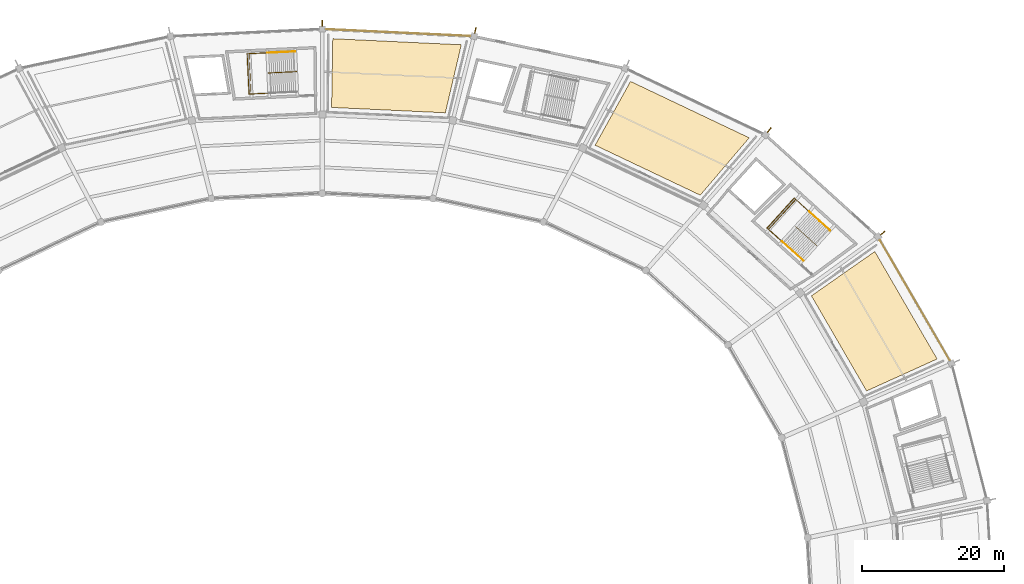
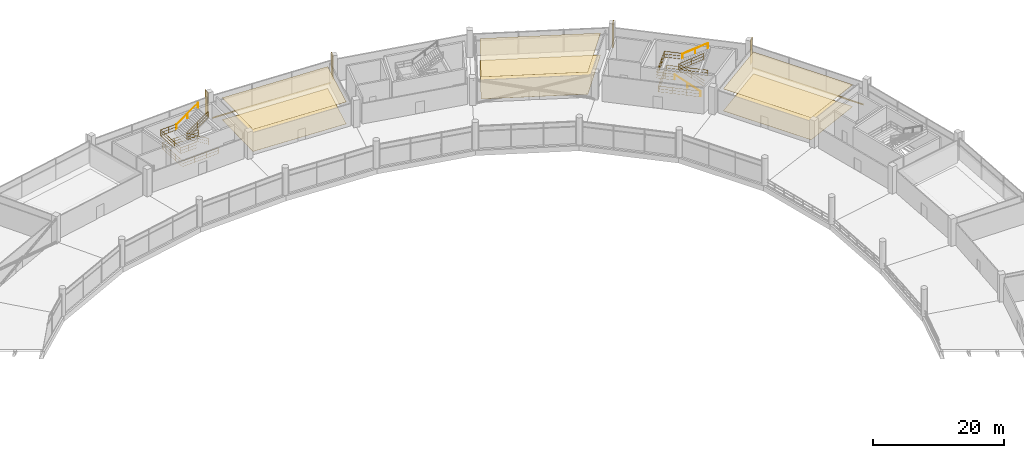
# One storey, part 183 of 184: 9 railings, 8 coverings, 4 shading devices.
"""IFC4 building model written with IfcOpenShell, lengths in metres."""

from ifc_helpers import new_model, si_unit, direction, frame, origin, origin_2d, place, context, subcontext, project, spatial, polyline, rectangle, outline, extrude, material, layer, layer_set, type_object, element, save


model = new_model("IFC4")

# Units and contexts
model_context = context("Model", 3, precision=1e-05, world=origin(), true_north=direction((0.0, 1.0)))
body_context = subcontext(model_context, "Body", "Model", "MODEL_VIEW")
ifc_project = project(units=[si_unit("LENGTHUNIT", "METRE"), si_unit("AREAUNIT", "SQUARE_METRE"), si_unit("VOLUMEUNIT", "CUBIC_METRE"), si_unit("PLANEANGLEUNIT", "RADIAN"), si_unit("MASSUNIT", "GRAM", prefix="KILO")], contexts=[model_context])

# Site, building, storey
site_placement = place(None, origin())
site = spatial("IfcSite", under=ifc_project, at=site_placement, CompositionType="ELEMENT")
building_placement = place(site_placement, origin())
building = spatial("IfcBuilding", under=site, at=building_placement, Name="Kazemori Nagisa Stadium", CompositionType="ELEMENT")
storey_placement = place(building_placement, frame((0.0, 0.0, 10.5400390625)))
storey = spatial("IfcBuildingStorey", under=building, at=storey_placement, Name="L02", CompositionType="ELEMENT", Elevation=10.5400390625)

# Coverings
ifc_material_1 = material(Name="Mineral-fibre acoustic board", Category="gypsum")
ifc_layer_1 = layer(ifc_material_1, 0.02001953125, Name="Mineral-fibre acoustic board", Category="gypsum")
ifc_layer_set_1 = layer_set([ifc_layer_1], Name="Mineral-fibre acoustic board")
covering_type_1 = type_object("IfcCoveringType", Name="Cov_CEIL", PredefinedType="CEILING", material=ifc_layer_set_1)
covering_1_placement = place(storey_placement, frame((0.0, 0.0, 4.10986328125)))
element("IfcCovering", 1, at=covering_1_placement, inside=storey, type_object=covering_type_1, Name="Acoustic ceiling L02-B03", PredefinedType="CEILING", context=body_context, shape_type="SweptSolid", body=[
    extrude(outline(polyline([(199.87353515625, 136.88330078125), (192.08203125, 150.320556640625), (201.034423828125, 156.582275390625), (209.835205078125, 141.40380859375), (199.87353515625, 136.88330078125)])), origin(), (0.0, 0.0, 1.0), 0.02001953125),
])
covering_2_placement = place(storey_placement, frame((0.0, 0.0, 4.10986328125)))
element("IfcCovering", 2, at=covering_2_placement, inside=storey, type_object=covering_type_1, Name="Acoustic ceiling L02-B05", PredefinedType="CEILING", context=body_context, shape_type="SweptSolid", body=[
    extrude(outline(polyline([(176.377197265625, 164.53759765625), (161.533935546875, 171.5908203125), (166.52734375, 180.60888671875), (183.294189453125, 172.6416015625), (176.377197265625, 164.53759765625)])), origin(), (0.0, 0.0, 1.0), 0.02001953125),
])
covering_3_placement = place(storey_placement, frame((0.0, 0.0, 4.10986328125)))
element("IfcCovering", 3, at=covering_3_placement, inside=storey, type_object=covering_type_1, Name="Acoustic ceiling L02-B07", PredefinedType="CEILING", context=body_context, shape_type="SweptSolid", body=[
    extrude(outline(polyline([(140.376953125, 176.17041015625), (124.307861328125, 176.93017578125), (124.4775390625, 186.64013671875), (142.62890625, 185.781982421875), (140.376953125, 176.17041015625)])), origin(), (0.0, 0.0, 1.0), 0.02001953125),
])
ifc_material_2 = material(Name="Porcelain stoneware tile", Category="masonry")
ifc_layer_2 = layer(ifc_material_2, 0.02490234375, Name="Porcelain stoneware tile", Category="masonry")
ifc_layer_set_2 = layer_set([ifc_layer_2], Name="Porcelain stoneware tile")
covering_type_2 = type_object("IfcCoveringType", Name="Cov_FLOOR", PredefinedType="FLOORING", material=ifc_layer_set_2)
covering_4_placement = place(storey_placement, origin())
element("IfcCovering", 4, at=covering_4_placement, inside=storey, type_object=covering_type_2, Name="Porcelain floor finish L02-B03", PredefinedType="FLOORING", context=body_context, shape_type="SweptSolid", body=[
    extrude(outline(polyline([(199.87353515625, 136.88330078125), (192.08203125, 150.320556640625), (201.034423828125, 156.582275390625), (209.835205078125, 141.40380859375), (199.87353515625, 136.88330078125)])), origin(), (0.0, 0.0, 1.0), 0.02490234375),
])
covering_5_placement = place(storey_placement, origin())
element("IfcCovering", 5, at=covering_5_placement, inside=storey, type_object=covering_type_2, Name="Porcelain floor finish L02-B05", PredefinedType="FLOORING", context=body_context, shape_type="SweptSolid", body=[
    extrude(outline(polyline([(176.377197265625, 164.53759765625), (161.533935546875, 171.5908203125), (166.52734375, 180.60888671875), (183.294189453125, 172.6416015625), (176.377197265625, 164.53759765625)])), origin(), (0.0, 0.0, 1.0), 0.02490234375),
])
covering_6_placement = place(storey_placement, origin())
element("IfcCovering", 6, at=covering_6_placement, inside=storey, type_object=covering_type_2, Name="Porcelain floor finish L02-B07", PredefinedType="FLOORING", context=body_context, shape_type="SweptSolid", body=[
    extrude(outline(polyline([(140.376953125, 176.17041015625), (124.307861328125, 176.93017578125), (124.4775390625, 186.64013671875), (142.62890625, 185.781982421875), (140.376953125, 176.17041015625)])), origin(), (0.0, 0.0, 1.0), 0.02490234375),
])
ifc_material_3 = material(Name="Anodised aluminium 6063-T5", Category="aluminium")
ifc_layer_3 = layer(ifc_material_3, 0.034912109375, Name="Anodised aluminium 6063-T5", Category="aluminium")
ifc_layer_set_3 = layer_set([ifc_layer_3], Name="Anodised aluminium 6063-T5")
covering_type_3 = type_object("IfcCoveringType", Name="Covering_CLAD", PredefinedType="CLADDING", material=ifc_layer_set_3)
covering_7_placement = place(storey_placement, frame((206.690185546875, 149.70849609375, -0.26025390625), z_axis=(0.0, 0.0, 1.0), x_axis=(-0.501611590054, 0.865092950337, 0.0)))
element("IfcCovering", 7, at=covering_7_placement, inside=storey, type_object=covering_type_3, Name="Anodised fascia cladding L02-B03", PredefinedType="CLADDING", context=body_context, shape_type="SweptSolid", body=[
    extrude(rectangle(XDim=19.6123046875, YDim=0.0400390625, at=origin_2d()), origin(), (0.0, 0.0, 1.0), 0.260009765625),
])
covering_8_placement = place(storey_placement, frame((133.7138671875, 187.493408203125, -0.26025390625), z_axis=(0.0, 0.0, 1.0), x_axis=(-0.998884022476, 0.047230388971, 0.0)))
element("IfcCovering", 8, at=covering_8_placement, inside=storey, type_object=covering_type_3, Name="Anodised fascia cladding L02-B07", PredefinedType="CLADDING", context=body_context, shape_type="SweptSolid", body=[
    extrude(rectangle(XDim=20.3515625, YDim=0.0400390625, at=origin_2d()), origin(), (0.0, 0.0, 1.0), 0.260009765625),
])

# Shading devices
ifc_material_4 = material(Name="Aluminium 6063-T5 anodised", Category="aluminium")
shading_device_type = type_object("IfcShadingDeviceType", Name="Fin_FN02", PredefinedType="USERDEFINED", material=ifc_material_4)
for number, where, z_axis, x_axis, name in (
    (9, (202.163818359375, 159.20068359375, 0.0), (0.0, 0.0, 1.0), (0.781831482473, 0.623489801853, 0.0), "Aerodynamic wave shading fin L02-04"),
    (10, (186.131103515625, 173.7275390625, 0.0), (0.0, 0.0, 1.0), (0.623489801853, 0.781831482473, 0.0), "Aerodynamic wave shading fin L02-05"),
    (11, (144.617919921875, 187.8203125, 0.0), (0.0, 0.0, 1.0), (0.222520933954, 0.974927912182, 0.0), "Aerodynamic wave shading fin L02-07"),
    (12, (123.0, 188.85498046875, 0.0), (0.0, 0.0, 1.0), (0.0, 1.0, 0.0), "Aerodynamic wave shading fin L02-08"),
):
    element("IfcShadingDevice", number, at=place(storey_placement, frame(where, z_axis=z_axis, x_axis=x_axis)), inside=storey, type_object=shading_device_type, Name=name, ObjectType="FIN", PredefinedType="USERDEFINED", context=body_context, shape_type="SweptSolid", body=[
        extrude(rectangle(XDim=0.85009765625, YDim=0.1201171875, at=origin_2d()), origin(), (0.0, 0.0, 1.0), 4.60009765625),
    ])

# Railings
ifc_material_5 = material(Name="Galvanised powder-coated steel", Category="steel")
railing_type_1 = type_object("IfcRailingType", Name="Rail_GUARD", PredefinedType="GUARDRAIL", material=ifc_material_5)
railing_1_placement = place(storey_placement, frame((190.87646484375, 155.334228515625, 0.0)))
element("IfcRailing", 13, at=railing_1_placement, inside=storey, type_object=railing_type_1, Name="Stair well perimeter guard ST01-L02", PredefinedType="GUARDRAIL", context=body_context, shape_type="SweptSolid", body=[
    extrude(rectangle(XDim=0.050048828125, YDim=0.050048828125, at=origin_2d()), frame((0.0, 0.0, 1.09521484375), z_axis=(-0.741348719967, 0.671120015648, 0.0), x_axis=(-0.671120015648, -0.741348719967, 0.0)), (0.0, 0.0, 1.0), 6.525146484375),
    extrude(rectangle(XDim=0.03759765625, YDim=0.03759765625, at=origin_2d()), frame((0.0, 0.0, 0.58251953125), z_axis=(-0.741348719967, 0.671120015648, 0.0), x_axis=(-0.671120015648, -0.741348719967, 0.0)), (0.0, 0.0, 1.0), 6.525146484375),
    extrude(rectangle(XDim=0.03759765625, YDim=0.03759765625, at=origin_2d()), frame((0.0, 0.0, 0.02490234375), z_axis=(-0.741348719967, 0.671120015648, 0.0), x_axis=(-0.671120015648, -0.741348719967, 0.0)), (0.0, 0.0, 1.0), 6.525146484375),
    extrude(rectangle(XDim=0.050048828125, YDim=0.050048828125, at=origin_2d()), frame((-4.83740234375, 4.379150390625, 1.09521484375), z_axis=(0.67113423669, 0.74133584585, 0.0), x_axis=(-0.74133584585, 0.67113423669, 0.0)), (0.0, 0.0, 1.0), 5.699951171875),
    extrude(rectangle(XDim=0.03759765625, YDim=0.03759765625, at=origin_2d()), frame((-4.83740234375, 4.379150390625, 0.58251953125), z_axis=(0.67113423669, 0.74133584585, 0.0), x_axis=(-0.74133584585, 0.67113423669, 0.0)), (0.0, 0.0, 1.0), 5.699951171875),
    extrude(rectangle(XDim=0.03759765625, YDim=0.03759765625, at=origin_2d()), frame((-4.83740234375, 4.379150390625, 0.02490234375), z_axis=(0.67113423669, 0.74133584585, 0.0), x_axis=(-0.74133584585, 0.67113423669, 0.0)), (0.0, 0.0, 1.0), 5.699951171875),
    extrude(rectangle(XDim=0.050048828125, YDim=0.050048828125, at=origin_2d()), frame((-1.011962890625, 8.604736328125, 1.09521484375), z_axis=(0.741350483516, -0.671118067549, 0.0), x_axis=(0.671118067549, 0.741350483516, 0.0)), (0.0, 0.0, 1.0), 6.52490234375),
    extrude(rectangle(XDim=0.03759765625, YDim=0.03759765625, at=origin_2d()), frame((-1.011962890625, 8.604736328125, 0.58251953125), z_axis=(0.741350483516, -0.671118067549, 0.0), x_axis=(0.671118067549, 0.741350483516, 0.0)), (0.0, 0.0, 1.0), 6.52490234375),
    extrude(rectangle(XDim=0.03759765625, YDim=0.03759765625, at=origin_2d()), frame((-1.011962890625, 8.604736328125, 0.02490234375), z_axis=(0.741350483516, -0.671118067549, 0.0), x_axis=(0.671118067549, 0.741350483516, 0.0)), (0.0, 0.0, 1.0), 6.52490234375),
    extrude(rectangle(XDim=0.044921875, YDim=0.044921875, at=origin_2d()), origin(), (0.0, 0.0, 1.0), 1.070068359375),
    extrude(rectangle(XDim=0.044921875, YDim=0.044921875, at=origin_2d()), frame((-1.612548828125, 1.459716796875, 0.0)), (0.0, 0.0, 1.0), 1.070068359375),
    extrude(rectangle(XDim=0.044921875, YDim=0.044921875, at=origin_2d()), frame((-3.224853515625, 2.91943359375, 0.0)), (0.0, 0.0, 1.0), 1.070068359375),
    extrude(rectangle(XDim=0.044921875, YDim=0.044921875, at=origin_2d()), frame((-4.83740234375, 4.379150390625, 0.0)), (0.0, 0.0, 1.0), 1.070068359375),
    extrude(rectangle(XDim=0.044921875, YDim=0.044921875, at=origin_2d()), frame((-3.562255859375, 5.78759765625, 0.0)), (0.0, 0.0, 1.0), 1.070068359375),
    extrude(rectangle(XDim=0.044921875, YDim=0.044921875, at=origin_2d()), frame((-2.287109375, 7.1962890625, 0.0)), (0.0, 0.0, 1.0), 1.070068359375),
    extrude(rectangle(XDim=0.044921875, YDim=0.044921875, at=origin_2d()), frame((-1.011962890625, 8.604736328125, 0.0)), (0.0, 0.0, 1.0), 1.070068359375),
    extrude(rectangle(XDim=0.044921875, YDim=0.044921875, at=origin_2d()), frame((0.600341796875, 7.14501953125, 0.0)), (0.0, 0.0, 1.0), 1.070068359375),
    extrude(rectangle(XDim=0.044921875, YDim=0.044921875, at=origin_2d()), frame((2.212890625, 5.685546875, 0.0)), (0.0, 0.0, 1.0), 1.070068359375),
    extrude(rectangle(XDim=0.044921875, YDim=0.044921875, at=origin_2d()), frame((3.8251953125, 4.225830078125, 0.0)), (0.0, 0.0, 1.0), 1.070068359375),
])
railing_2_placement = place(storey_placement, frame((192.848388671875, 157.393310546875, 0.0)))
element("IfcRailing", 14, at=railing_2_placement, inside=storey, type_object=railing_type_1, Name="Stair central guard ST01-L02", PredefinedType="GUARDRAIL", context=body_context, shape_type="SweptSolid", body=[
    extrude(rectangle(XDim=0.050048828125, YDim=0.050048828125, at=origin_2d()), frame((0.0, 0.0, 1.09521484375), z_axis=(-0.62691046186, 0.5675307784, 0.533752834539), x_axis=(-0.671125325747, -0.741343912864, 0.0)), (0.0, 0.0, 1.0), 4.777587890625),
    extrude(rectangle(XDim=0.03759765625, YDim=0.03759765625, at=origin_2d()), frame((0.0, 0.0, 0.58251953125), z_axis=(-0.62691046186, 0.5675307784, 0.533752834539), x_axis=(-0.671125325747, -0.741343912864, 0.0)), (0.0, 0.0, 1.0), 4.777587890625),
    extrude(rectangle(XDim=0.03759765625, YDim=0.03759765625, at=origin_2d()), frame((0.0, 0.0, 0.02490234375), z_axis=(-0.62691046186, 0.5675307784, 0.533752834539), x_axis=(-0.671125325747, -0.741343912864, 0.0)), (0.0, 0.0, 1.0), 4.777587890625),
    extrude(rectangle(XDim=0.050048828125, YDim=0.050048828125, at=origin_2d()), frame((-2.9951171875, 2.71142578125, 3.64501953125), z_axis=(0.623314113675, -0.564274215506, 0.541363210247), x_axis=(0.671124767853, 0.741344417916, 0.0)), (0.0, 0.0, 1.0), 4.7099609375),
    extrude(rectangle(XDim=0.03759765625, YDim=0.03759765625, at=origin_2d()), frame((-2.9951171875, 2.71142578125, 3.132568359375), z_axis=(0.623314113675, -0.564274215506, 0.541363210247), x_axis=(0.671124767853, 0.741344417916, 0.0)), (0.0, 0.0, 1.0), 4.7099609375),
    extrude(rectangle(XDim=0.03759765625, YDim=0.03759765625, at=origin_2d()), frame((-2.9951171875, 2.71142578125, 2.5751953125), z_axis=(0.623314113675, -0.564274215506, 0.541363210247), x_axis=(0.671124767853, 0.741344417916, 0.0)), (0.0, 0.0, 1.0), 4.7099609375),
    extrude(rectangle(XDim=0.044921875, YDim=0.044921875, at=origin_2d()), origin(), (0.0, 0.0, 1.0), 1.070068359375),
    extrude(rectangle(XDim=0.044921875, YDim=0.044921875, at=origin_2d()), frame((-1.49755859375, 1.355712890625, 1.27490234375)), (0.0, 0.0, 1.0), 1.070068359375),
    extrude(rectangle(XDim=0.044921875, YDim=0.044921875, at=origin_2d()), frame((-2.9951171875, 2.71142578125, 2.550048828125)), (0.0, 0.0, 1.0), 1.070068359375),
    extrude(rectangle(XDim=0.044921875, YDim=0.044921875, at=origin_2d()), frame((-1.52734375, 1.382568359375, 3.824951171875)), (0.0, 0.0, 1.0), 1.070068359375),
    extrude(rectangle(XDim=0.044921875, YDim=0.044921875, at=origin_2d()), frame((-0.059326171875, 0.0537109375, 5.099853515625)), (0.0, 0.0, 1.0), 1.070068359375),
])
railing_3_placement = place(storey_placement, frame((187.940673828125, 157.991943359375, 2.550048828125)))
element("IfcRailing", 15, at=railing_3_placement, inside=storey, type_object=railing_type_1, Name="Stair landing guard ST01-L02", PredefinedType="GUARDRAIL", context=body_context, shape_type="SweptSolid", body=[
    extrude(rectangle(XDim=0.050048828125, YDim=0.050048828125, at=origin_2d()), frame((0.0, 0.0, 1.09521484375), z_axis=(-0.741357156534, 0.671110696127, 0.0), x_axis=(-0.671110696127, -0.741357156534, 0.0)), (0.0, 0.0, 1.0), 2.849853515625),
    extrude(rectangle(XDim=0.03759765625, YDim=0.03759765625, at=origin_2d()), frame((0.0, 0.0, 0.58251953125), z_axis=(-0.741357156534, 0.671110696127, 0.0), x_axis=(-0.671110696127, -0.741357156534, 0.0)), (0.0, 0.0, 1.0), 2.849853515625),
    extrude(rectangle(XDim=0.03759765625, YDim=0.03759765625, at=origin_2d()), frame((0.0, 0.0, 0.02490234375), z_axis=(-0.741357156534, 0.671110696127, 0.0), x_axis=(-0.671110696127, -0.741357156534, 0.0)), (0.0, 0.0, 1.0), 2.849853515625),
    extrude(rectangle(XDim=0.050048828125, YDim=0.050048828125, at=origin_2d()), frame((-2.11279296875, 1.91259765625, 1.09521484375), z_axis=(0.671089385604, 0.741376447245, 0.0), x_axis=(-0.741376447245, 0.671089385604, 0.0)), (0.0, 0.0, 1.0), 5.699951171875),
    extrude(rectangle(XDim=0.03759765625, YDim=0.03759765625, at=origin_2d()), frame((-2.11279296875, 1.91259765625, 0.58251953125), z_axis=(0.671089385604, 0.741376447245, 0.0), x_axis=(-0.741376447245, 0.671089385604, 0.0)), (0.0, 0.0, 1.0), 5.699951171875),
    extrude(rectangle(XDim=0.03759765625, YDim=0.03759765625, at=origin_2d()), frame((-2.11279296875, 1.91259765625, 0.02490234375), z_axis=(0.671089385604, 0.741376447245, 0.0), x_axis=(-0.741376447245, 0.671089385604, 0.0)), (0.0, 0.0, 1.0), 5.699951171875),
    extrude(rectangle(XDim=0.050048828125, YDim=0.050048828125, at=origin_2d()), frame((1.71240234375, 6.138427734375, 1.09521484375), z_axis=(0.741353118424, -0.671115156887, 0.0), x_axis=(0.671115156887, 0.741353118424, 0.0)), (0.0, 0.0, 1.0), 2.850341796875),
    extrude(rectangle(XDim=0.03759765625, YDim=0.03759765625, at=origin_2d()), frame((1.71240234375, 6.138427734375, 0.58251953125), z_axis=(0.741353118424, -0.671115156887, 0.0), x_axis=(0.671115156887, 0.741353118424, 0.0)), (0.0, 0.0, 1.0), 2.850341796875),
    extrude(rectangle(XDim=0.03759765625, YDim=0.03759765625, at=origin_2d()), frame((1.71240234375, 6.138427734375, 0.02490234375), z_axis=(0.741353118424, -0.671115156887, 0.0), x_axis=(0.671115156887, 0.741353118424, 0.0)), (0.0, 0.0, 1.0), 2.850341796875),
    extrude(rectangle(XDim=0.044921875, YDim=0.044921875, at=origin_2d()), origin(), (0.0, 0.0, 1.0), 1.070068359375),
    extrude(rectangle(XDim=0.044921875, YDim=0.044921875, at=origin_2d()), frame((-1.056396484375, 0.956298828125, 0.0)), (0.0, 0.0, 1.0), 1.070068359375),
    extrude(rectangle(XDim=0.044921875, YDim=0.044921875, at=origin_2d()), frame((-2.11279296875, 1.91259765625, 0.0)), (0.0, 0.0, 1.0), 1.070068359375),
    extrude(rectangle(XDim=0.044921875, YDim=0.044921875, at=origin_2d()), frame((-0.837646484375, 3.3212890625, 0.0)), (0.0, 0.0, 1.0), 1.070068359375),
    extrude(rectangle(XDim=0.044921875, YDim=0.044921875, at=origin_2d()), frame((0.437255859375, 4.729736328125, 0.0)), (0.0, 0.0, 1.0), 1.070068359375),
    extrude(rectangle(XDim=0.044921875, YDim=0.044921875, at=origin_2d()), frame((1.71240234375, 6.138427734375, 0.0)), (0.0, 0.0, 1.0), 1.070068359375),
    extrude(rectangle(XDim=0.044921875, YDim=0.044921875, at=origin_2d()), frame((2.76904296875, 5.18212890625, 0.0)), (0.0, 0.0, 1.0), 1.070068359375),
    extrude(rectangle(XDim=0.044921875, YDim=0.044921875, at=origin_2d()), frame((3.825439453125, 4.2255859375, 0.0)), (0.0, 0.0, 1.0), 1.070068359375),
])
railing_4_placement = place(storey_placement, frame((119.452392578125, 179.138427734375, 0.0)))
element("IfcRailing", 16, at=railing_4_placement, inside=storey, type_object=railing_type_1, Name="Stair well perimeter guard ST05-L02", PredefinedType="GUARDRAIL", context=body_context, shape_type="SweptSolid", body=[
    extrude(rectangle(XDim=0.050048828125, YDim=0.050048828125, at=origin_2d()), frame((0.0, 0.0, 1.09521484375), z_axis=(-0.998884501037, -0.047220266718, 0.0), x_axis=(0.047220266718, -0.998884501037, 0.0)), (0.0, 0.0, 1.0), 6.52490234375),
    extrude(rectangle(XDim=0.03759765625, YDim=0.03759765625, at=origin_2d()), frame((0.0, 0.0, 0.58251953125), z_axis=(-0.998884501037, -0.047220266718, 0.0), x_axis=(0.047220266718, -0.998884501037, 0.0)), (0.0, 0.0, 1.0), 6.52490234375),
    extrude(rectangle(XDim=0.03759765625, YDim=0.03759765625, at=origin_2d()), frame((0.0, 0.0, 0.02490234375), z_axis=(-0.998884501037, -0.047220266718, 0.0), x_axis=(0.047220266718, -0.998884501037, 0.0)), (0.0, 0.0, 1.0), 6.52490234375),
    extrude(rectangle(XDim=0.050048828125, YDim=0.050048828125, at=origin_2d()), frame((-6.517578125, -0.30810546875, 1.09521484375), z_axis=(-0.047243616775, 0.998883396936, 0.0), x_axis=(-0.998883396936, -0.047243616775, 0.0)), (0.0, 0.0, 1.0), 5.699951171875),
    extrude(rectangle(XDim=0.03759765625, YDim=0.03759765625, at=origin_2d()), frame((-6.517578125, -0.30810546875, 0.58251953125), z_axis=(-0.047243616775, 0.998883396936, 0.0), x_axis=(-0.998883396936, -0.047243616775, 0.0)), (0.0, 0.0, 1.0), 5.699951171875),
    extrude(rectangle(XDim=0.03759765625, YDim=0.03759765625, at=origin_2d()), frame((-6.517578125, -0.30810546875, 0.02490234375), z_axis=(-0.047243616775, 0.998883396936, 0.0), x_axis=(-0.998883396936, -0.047243616775, 0.0)), (0.0, 0.0, 1.0), 5.699951171875),
    extrude(rectangle(XDim=0.050048828125, YDim=0.050048828125, at=origin_2d()), frame((-6.786865234375, 5.385498046875, 1.09521484375), z_axis=(0.998882735472, 0.047257600199, 0.0), x_axis=(-0.047257600199, 0.998882735472, 0.0)), (0.0, 0.0, 1.0), 6.52490234375),
    extrude(rectangle(XDim=0.03759765625, YDim=0.03759765625, at=origin_2d()), frame((-6.786865234375, 5.385498046875, 0.58251953125), z_axis=(0.998882735472, 0.047257600199, 0.0), x_axis=(-0.047257600199, 0.998882735472, 0.0)), (0.0, 0.0, 1.0), 6.52490234375),
    extrude(rectangle(XDim=0.03759765625, YDim=0.03759765625, at=origin_2d()), frame((-6.786865234375, 5.385498046875, 0.02490234375), z_axis=(0.998882735472, 0.047257600199, 0.0), x_axis=(-0.047257600199, 0.998882735472, 0.0)), (0.0, 0.0, 1.0), 6.52490234375),
    extrude(rectangle(XDim=0.044921875, YDim=0.044921875, at=origin_2d()), origin(), (0.0, 0.0, 1.0), 1.070068359375),
    extrude(rectangle(XDim=0.044921875, YDim=0.044921875, at=origin_2d()), frame((-2.172607421875, -0.102783203125, 0.0)), (0.0, 0.0, 1.0), 1.070068359375),
    extrude(rectangle(XDim=0.044921875, YDim=0.044921875, at=origin_2d()), frame((-4.344970703125, -0.205322265625, 0.0)), (0.0, 0.0, 1.0), 1.070068359375),
    extrude(rectangle(XDim=0.044921875, YDim=0.044921875, at=origin_2d()), frame((-6.517578125, -0.30810546875, 0.0)), (0.0, 0.0, 1.0), 1.070068359375),
    extrude(rectangle(XDim=0.044921875, YDim=0.044921875, at=origin_2d()), frame((-6.607421875, 1.58984375, 0.0)), (0.0, 0.0, 1.0), 1.070068359375),
    extrude(rectangle(XDim=0.044921875, YDim=0.044921875, at=origin_2d()), frame((-6.697021484375, 3.487548828125, 0.0)), (0.0, 0.0, 1.0), 1.070068359375),
    extrude(rectangle(XDim=0.044921875, YDim=0.044921875, at=origin_2d()), frame((-6.786865234375, 5.385498046875, 0.0)), (0.0, 0.0, 1.0), 1.070068359375),
    extrude(rectangle(XDim=0.044921875, YDim=0.044921875, at=origin_2d()), frame((-4.6142578125, 5.48828125, 0.0)), (0.0, 0.0, 1.0), 1.070068359375),
    extrude(rectangle(XDim=0.044921875, YDim=0.044921875, at=origin_2d()), frame((-2.44189453125, 5.591064453125, 0.0)), (0.0, 0.0, 1.0), 1.070068359375),
    extrude(rectangle(XDim=0.044921875, YDim=0.044921875, at=origin_2d()), frame((-0.269287109375, 5.69384765625, 0.0)), (0.0, 0.0, 1.0), 1.070068359375),
])
railing_5_placement = place(storey_placement, frame((119.397705078125, 181.9892578125, 0.0)))
element("IfcRailing", 17, at=railing_5_placement, inside=storey, type_object=railing_type_1, Name="Stair central guard ST05-L02", PredefinedType="GUARDRAIL", context=body_context, shape_type="SweptSolid", body=[
    extrude(rectangle(XDim=0.050048828125, YDim=0.050048828125, at=origin_2d()), frame((0.0, 0.0, 1.09521484375), z_axis=(-0.8446835464, -0.039962643432, 0.533772136375), x_axis=(0.047257927704, -0.998882719977, 0.0)), (0.0, 0.0, 1.0), 4.77734375),
    extrude(rectangle(XDim=0.03759765625, YDim=0.03759765625, at=origin_2d()), frame((0.0, 0.0, 0.58251953125), z_axis=(-0.8446835464, -0.039962643432, 0.533772136375), x_axis=(0.047257927704, -0.998882719977, 0.0)), (0.0, 0.0, 1.0), 4.77734375),
    extrude(rectangle(XDim=0.03759765625, YDim=0.03759765625, at=origin_2d()), frame((0.0, 0.0, 0.02490234375), z_axis=(-0.8446835464, -0.039962643432, 0.533772136375), x_axis=(0.047257927704, -0.998882719977, 0.0)), (0.0, 0.0, 1.0), 4.77734375),
    extrude(rectangle(XDim=0.050048828125, YDim=0.050048828125, at=origin_2d()), frame((-4.035400390625, -0.19091796875, 3.64501953125), z_axis=(0.839844161595, 0.039706247857, 0.541373436841), x_axis=(-0.047225363734, 0.998884260072, 0.0)), (0.0, 0.0, 1.0), 4.7099609375),
    extrude(rectangle(XDim=0.03759765625, YDim=0.03759765625, at=origin_2d()), frame((-4.035400390625, -0.19091796875, 3.132568359375), z_axis=(0.839844161595, 0.039706247857, 0.541373436841), x_axis=(-0.047225363734, 0.998884260072, 0.0)), (0.0, 0.0, 1.0), 4.7099609375),
    extrude(rectangle(XDim=0.03759765625, YDim=0.03759765625, at=origin_2d()), frame((-4.035400390625, -0.19091796875, 2.5751953125), z_axis=(0.839844161595, 0.039706247857, 0.541373436841), x_axis=(-0.047225363734, 0.998884260072, 0.0)), (0.0, 0.0, 1.0), 4.7099609375),
    extrude(rectangle(XDim=0.044921875, YDim=0.044921875, at=origin_2d()), origin(), (0.0, 0.0, 1.0), 1.070068359375),
    extrude(rectangle(XDim=0.044921875, YDim=0.044921875, at=origin_2d()), frame((-2.017578125, -0.095458984375, 1.27490234375)), (0.0, 0.0, 1.0), 1.070068359375),
    extrude(rectangle(XDim=0.044921875, YDim=0.044921875, at=origin_2d()), frame((-4.035400390625, -0.19091796875, 2.550048828125)), (0.0, 0.0, 1.0), 1.070068359375),
    extrude(rectangle(XDim=0.044921875, YDim=0.044921875, at=origin_2d()), frame((-2.0576171875, -0.097412109375, 3.824951171875)), (0.0, 0.0, 1.0), 1.070068359375),
    extrude(rectangle(XDim=0.044921875, YDim=0.044921875, at=origin_2d()), frame((-0.079833984375, -0.00390625, 5.099853515625)), (0.0, 0.0, 1.0), 1.070068359375),
])
railing_6_placement = place(storey_placement, frame((115.496826171875, 178.951416015625, 2.550048828125)))
element("IfcRailing", 18, at=railing_6_placement, inside=storey, type_object=railing_type_1, Name="Stair landing guard ST05-L02", PredefinedType="GUARDRAIL", context=body_context, shape_type="SweptSolid", body=[
    extrude(rectangle(XDim=0.050048828125, YDim=0.050048828125, at=origin_2d()), frame((0.0, 0.0, 1.09521484375), z_axis=(-0.998885321869, -0.047202899858, 0.0), x_axis=(0.047202899858, -0.998885321869, 0.0)), (0.0, 0.0, 1.0), 2.849853515625),
    extrude(rectangle(XDim=0.03759765625, YDim=0.03759765625, at=origin_2d()), frame((0.0, 0.0, 0.58251953125), z_axis=(-0.998885321869, -0.047202899858, 0.0), x_axis=(0.047202899858, -0.998885321869, 0.0)), (0.0, 0.0, 1.0), 2.849853515625),
    extrude(rectangle(XDim=0.03759765625, YDim=0.03759765625, at=origin_2d()), frame((0.0, 0.0, 0.02490234375), z_axis=(-0.998885321869, -0.047202899858, 0.0), x_axis=(0.047202899858, -0.998885321869, 0.0)), (0.0, 0.0, 1.0), 2.849853515625),
    extrude(rectangle(XDim=0.050048828125, YDim=0.050048828125, at=origin_2d()), frame((-2.8466796875, -0.134521484375, 1.09521484375), z_axis=(-0.047243616775, 0.998883396936, 0.0), x_axis=(-0.998883396936, -0.047243616775, 0.0)), (0.0, 0.0, 1.0), 5.699951171875),
    extrude(rectangle(XDim=0.03759765625, YDim=0.03759765625, at=origin_2d()), frame((-2.8466796875, -0.134521484375, 0.58251953125), z_axis=(-0.047243616775, 0.998883396936, 0.0), x_axis=(-0.998883396936, -0.047243616775, 0.0)), (0.0, 0.0, 1.0), 5.699951171875),
    extrude(rectangle(XDim=0.03759765625, YDim=0.03759765625, at=origin_2d()), frame((-2.8466796875, -0.134521484375, 0.02490234375), z_axis=(-0.047243616775, 0.998883396936, 0.0), x_axis=(-0.998883396936, -0.047243616775, 0.0)), (0.0, 0.0, 1.0), 5.699951171875),
    extrude(rectangle(XDim=0.050048828125, YDim=0.050048828125, at=origin_2d()), frame((-3.115966796875, 5.55908203125, 1.09521484375), z_axis=(0.998881278972, 0.047288376157, 0.0), x_axis=(-0.047288376157, 0.998881278972, 0.0)), (0.0, 0.0, 1.0), 2.849853515625),
    extrude(rectangle(XDim=0.03759765625, YDim=0.03759765625, at=origin_2d()), frame((-3.115966796875, 5.55908203125, 0.58251953125), z_axis=(0.998881278972, 0.047288376157, 0.0), x_axis=(-0.047288376157, 0.998881278972, 0.0)), (0.0, 0.0, 1.0), 2.849853515625),
    extrude(rectangle(XDim=0.03759765625, YDim=0.03759765625, at=origin_2d()), frame((-3.115966796875, 5.55908203125, 0.02490234375), z_axis=(0.998881278972, 0.047288376157, 0.0), x_axis=(-0.047288376157, 0.998881278972, 0.0)), (0.0, 0.0, 1.0), 2.849853515625),
    extrude(rectangle(XDim=0.044921875, YDim=0.044921875, at=origin_2d()), origin(), (0.0, 0.0, 1.0), 1.070068359375),
    extrude(rectangle(XDim=0.044921875, YDim=0.044921875, at=origin_2d()), frame((-1.42333984375, -0.0673828125, 0.0)), (0.0, 0.0, 1.0), 1.070068359375),
    extrude(rectangle(XDim=0.044921875, YDim=0.044921875, at=origin_2d()), frame((-2.8466796875, -0.134521484375, 0.0)), (0.0, 0.0, 1.0), 1.070068359375),
    extrude(rectangle(XDim=0.044921875, YDim=0.044921875, at=origin_2d()), frame((-2.9365234375, 1.763427734375, 0.0)), (0.0, 0.0, 1.0), 1.070068359375),
    extrude(rectangle(XDim=0.044921875, YDim=0.044921875, at=origin_2d()), frame((-3.026123046875, 3.6611328125, 0.0)), (0.0, 0.0, 1.0), 1.070068359375),
    extrude(rectangle(XDim=0.044921875, YDim=0.044921875, at=origin_2d()), frame((-3.115966796875, 5.55908203125, 0.0)), (0.0, 0.0, 1.0), 1.070068359375),
    extrude(rectangle(XDim=0.044921875, YDim=0.044921875, at=origin_2d()), frame((-1.692626953125, 5.62646484375, 0.0)), (0.0, 0.0, 1.0), 1.070068359375),
    extrude(rectangle(XDim=0.044921875, YDim=0.044921875, at=origin_2d()), frame((-0.269287109375, 5.69384765625, 0.0)), (0.0, 0.0, 1.0), 1.070068359375),
])
ifc_material_6 = material(Name="Stainless steel SUS304", Category="steel")
railing_type_2 = type_object("IfcRailingType", Name="Rail_HAND", PredefinedType="HANDRAIL", material=ifc_material_6)
railing_7_placement = place(storey_placement, frame((190.935791015625, 155.280517578125, 0.169921875)))
element("IfcRailing", 19, at=railing_7_placement, inside=storey, type_object=railing_type_2, Name="Stair handrail ST01-L02-F1", PredefinedType="HANDRAIL", context=body_context, shape_type="SweptSolid", body=[
    extrude(rectangle(XDim=0.050048828125, YDim=0.050048828125, at=origin_2d()), frame((0.0, 0.0, 0.875), z_axis=(-0.62691046186, 0.5675307784, 0.533752834539), x_axis=(-0.671125325747, -0.741343912864, 0.0)), (0.0, 0.0, 1.0), 4.777587890625),
    extrude(rectangle(XDim=0.044921875, YDim=0.044921875, at=origin_2d()), origin(), (0.0, 0.0, 1.0), 0.849853515625),
    extrude(rectangle(XDim=0.044921875, YDim=0.044921875, at=origin_2d()), frame((-1.49755859375, 1.355712890625, 1.27490234375)), (0.0, 0.0, 1.0), 0.849853515625),
    extrude(rectangle(XDim=0.044921875, YDim=0.044921875, at=origin_2d()), frame((-2.9951171875, 2.71142578125, 2.550048828125)), (0.0, 0.0, 1.0), 0.849853515625),
])
railing_8_placement = place(storey_placement, frame((191.76611328125, 162.217529296875, 2.719970703125)))
element("IfcRailing", 20, at=railing_8_placement, inside=storey, type_object=railing_type_2, Name="Stair handrail ST01-L02-F2", PredefinedType="HANDRAIL", context=body_context, shape_type="SweptSolid", body=[
    extrude(rectangle(XDim=0.050048828125, YDim=0.050048828125, at=origin_2d()), frame((0.0, 0.0, 0.875), z_axis=(0.623283154765, -0.564241279076, 0.541433179601), x_axis=(0.671121558243, 0.741347323501, 0.0)), (0.0, 0.0, 1.0), 4.709716796875),
    extrude(rectangle(XDim=0.044921875, YDim=0.044921875, at=origin_2d()), origin(), (0.0, 0.0, 1.0), 0.849853515625),
    extrude(rectangle(XDim=0.044921875, YDim=0.044921875, at=origin_2d()), frame((1.4677734375, -1.32861328125, 1.27490234375)), (0.0, 0.0, 1.0), 0.849853515625),
    extrude(rectangle(XDim=0.044921875, YDim=0.044921875, at=origin_2d()), frame((2.935546875, -2.657470703125, 2.550048828125)), (0.0, 0.0, 1.0), 0.849853515625),
])
railing_9_placement = place(storey_placement, frame((115.2275390625, 184.645263671875, 2.719970703125)))
element("IfcRailing", 21, at=railing_9_placement, inside=storey, type_object=railing_type_2, Name="Stair handrail ST05-L02-F2", PredefinedType="HANDRAIL", context=body_context, shape_type="SweptSolid", body=[
    extrude(rectangle(XDim=0.050048828125, YDim=0.050048828125, at=origin_2d()), frame((0.0, 0.0, 0.875), z_axis=(0.839820593296, 0.039705133592, 0.541410078816), x_axis=(-0.047225363734, 0.998884260072, 0.0)), (0.0, 0.0, 1.0), 4.7099609375),
    extrude(rectangle(XDim=0.044921875, YDim=0.044921875, at=origin_2d()), origin(), (0.0, 0.0, 1.0), 0.849853515625),
    extrude(rectangle(XDim=0.044921875, YDim=0.044921875, at=origin_2d()), frame((1.977783203125, 0.093505859375, 1.27490234375)), (0.0, 0.0, 1.0), 0.849853515625),
    extrude(rectangle(XDim=0.044921875, YDim=0.044921875, at=origin_2d()), frame((3.95556640625, 0.18701171875, 2.550048828125)), (0.0, 0.0, 1.0), 0.849853515625),
])

save(model, "model.ifc")
